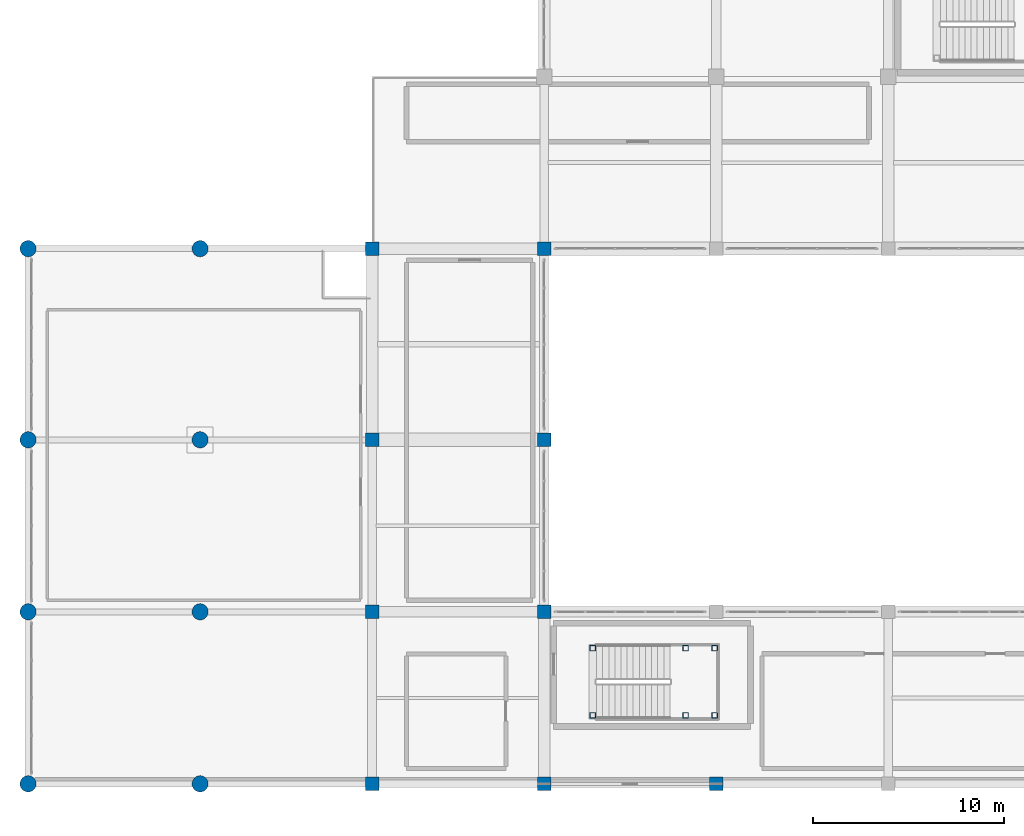
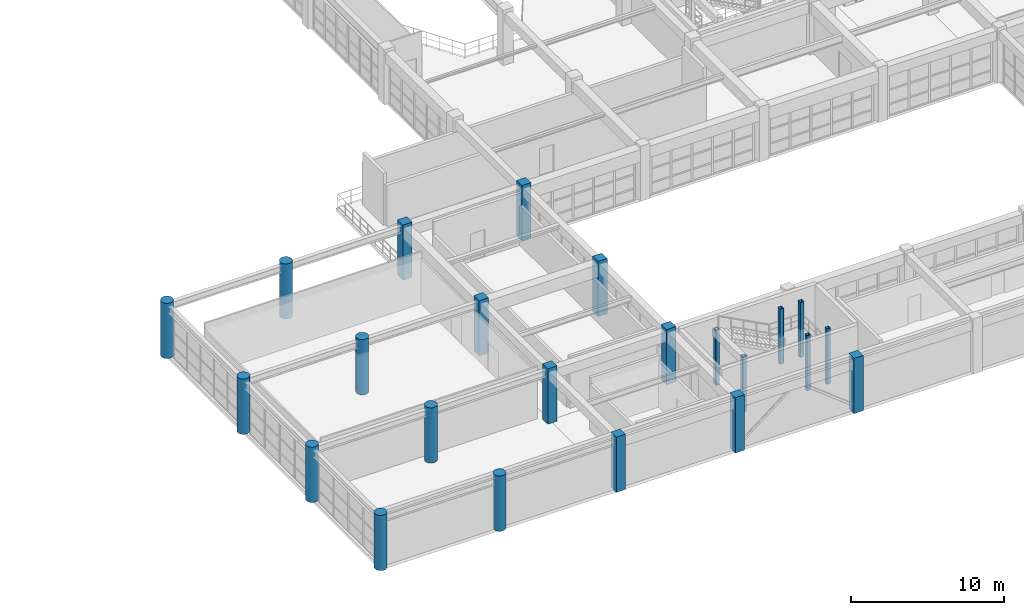
# One storey, part 1 of 133: 23 columns.
"""IFC4 building model written with IfcOpenShell, lengths in metres."""

from ifc_helpers import new_model, si_unit, direction, frame, origin, origin_2d, place, context, subcontext, project, spatial, rectangle, hollow_rectangle, circle, extrude, material, material_profile, profile_set, type_object, element, save


model = new_model("IFC4")

# Units and contexts
model_context = context("Model", 3, precision=1e-05, world=origin(), true_north=direction((0.0, 1.0)))
body_context = subcontext(model_context, "Body", "Model", "MODEL_VIEW")
ifc_project = project(units=[si_unit("LENGTHUNIT", "METRE"), si_unit("AREAUNIT", "SQUARE_METRE"), si_unit("VOLUMEUNIT", "CUBIC_METRE"), si_unit("PLANEANGLEUNIT", "RADIAN"), si_unit("MASSUNIT", "GRAM", prefix="KILO")], contexts=[model_context])

# Site, building, storey
site_placement = place(None, origin())
site = spatial("IfcSite", under=ifc_project, at=site_placement, CompositionType="ELEMENT")
building_placement = place(site_placement, origin())
building = spatial("IfcBuilding", under=site, at=building_placement, Name="Miravela Opera House", CompositionType="ELEMENT")
storey_placement = place(building_placement, frame((0.0, 0.0, 5.10009765625)))
storey = spatial("IfcBuildingStorey", under=building, at=storey_placement, Name="L01", CompositionType="ELEMENT", Elevation=5.10009765625)

# Columns
ifc_material_1 = material(Name="Hollow structural steel ASTM A500 Gr. C", Category="steel")
ifc_material_profile_1 = material_profile(ifc_material_1, hollow_rectangle(XDim=0.300048828125, YDim=0.300048828125, WallThickness=0.01611328125, InnerFilletRadius=0.01611328125, OuterFilletRadius=0.031982421875, at=origin_2d()), Name="HSS300X300X16")
ifc_profile_set_1 = profile_set([ifc_material_profile_1])
column_type_1 = type_object("IfcColumnType", Name="STR-COL-HSS300", PredefinedType="COLUMN", material=ifc_profile_set_1)
for number, where, z_axis, x_axis, name in (
    (1, (29.5400390625, 3.580078125, 0.0), (0.0, 0.0, 1.0), (1.0, 0.0, 0.0), "Stair ST-08 Landing Support Column 1 (L01)"),
    (2, (29.5400390625, 7.10009765625, 0.0), (0.0, 0.0, 1.0), (1.0, 0.0, 0.0), "Stair ST-08 Landing Support Column 2 (L01)"),
    (3, (34.39990234375, 3.580078125, 0.0), (0.0, 0.0, 1.0), (1.0, 0.0, 0.0), "Stair ST-08 Landing Support Column 3 (L01)"),
    (4, (34.39990234375, 7.10009765625, 0.0), (0.0, 0.0, 1.0), (1.0, 0.0, 0.0), "Stair ST-08 Landing Support Column 4 (L01)"),
    (5, (35.919921875, 3.580078125, 0.0), (0.0, 0.0, 1.0), (1.0, 0.0, 0.0), "Stair ST-08 Landing Support Column 5 (L01)"),
    (6, (35.919921875, 7.10009765625, 0.0), (0.0, 0.0, 1.0), (1.0, 0.0, 0.0), "Stair ST-08 Landing Support Column 6 (L01)"),
):
    element("IfcColumn", number, at=place(storey_placement, frame(where, z_axis=z_axis, x_axis=x_axis)), inside=storey, type_object=column_type_1, Name=name, PredefinedType="COLUMN", context=body_context, shape_type="SweptSolid", body=[
        extrude(hollow_rectangle(XDim=0.300048828125, YDim=0.300048828125, WallThickness=0.01611328125, InnerFilletRadius=0.01611328125, OuterFilletRadius=0.031982421875, at=origin_2d()), origin(), (0.0, 0.0, 1.0), 4.419921875),
    ])
ifc_material_2 = material(Name="Concrete C35/45", Category="concrete")
ifc_material_profile_2 = material_profile(ifc_material_2, rectangle(XDim=0.699951171875, YDim=0.699951171875, at=origin_2d()), Name="RC-COL-700X700")
ifc_profile_set_2 = profile_set([ifc_material_profile_2])
column_type_2 = type_object("IfcColumnType", Name="STR-COL-RC700", PredefinedType="COLUMN", material=ifc_profile_set_2)
for number, where, z_axis, x_axis, name in (
    (7, (18.0, 0.0, 0.0), (0.0, 0.0, 1.0), (1.0, 0.0, 0.0), "Column C-3A (L01)"),
    (8, (18.0, 9.0, 0.0), (0.0, 0.0, 1.0), (1.0, 0.0, 0.0), "Column C-3B (L01)"),
    (9, (18.0, 18.0, 0.0), (0.0, 0.0, 1.0), (1.0, 0.0, 0.0), "Column C-3C (L01)"),
    (10, (18.0, 28.0, 0.0), (0.0, 0.0, 1.0), (1.0, 0.0, 0.0), "Column C-3D (L01)"),
    (11, (27.0, 0.0, 0.0), (0.0, 0.0, 1.0), (1.0, 0.0, 0.0), "Column C-4A (L01)"),
    (12, (27.0, 9.0, 0.0), (0.0, 0.0, 1.0), (1.0, 0.0, 0.0), "Column C-4B (L01)"),
    (13, (27.0, 18.0, 0.0), (0.0, 0.0, 1.0), (1.0, 0.0, 0.0), "Column C-4C (L01)"),
    (14, (27.0, 28.0, 0.0), (0.0, 0.0, 1.0), (1.0, 0.0, 0.0), "Column C-4D (L01)"),
    (15, (36.0, 0.0, 0.0), (0.0, 0.0, 1.0), (1.0, 0.0, 0.0), "Column C-5A (L01)"),
):
    element("IfcColumn", number, at=place(storey_placement, frame(where, z_axis=z_axis, x_axis=x_axis)), inside=storey, type_object=column_type_2, Name=name, PredefinedType="COLUMN", context=body_context, shape_type="SweptSolid", body=[
        extrude(rectangle(XDim=0.699951171875, YDim=0.699951171875, at=origin_2d()), origin(), (0.0, 0.0, 1.0), 4.419921875),
    ])
ifc_material_3 = material(Name="Concrete C40/50", Category="concrete")
ifc_material_profile_3 = material_profile(ifc_material_3, circle(Radius=0.425048828125, at=origin_2d()), Name="RC-COL-D850")
ifc_profile_set_3 = profile_set([ifc_material_profile_3])
column_type_3 = type_object("IfcColumnType", Name="STR-COL-RCD850", PredefinedType="COLUMN", material=ifc_profile_set_3)
for number, where, z_axis, x_axis, name in (
    (16, (0.0, 0.0, 0.0), (0.0, 0.0, 1.0), (1.0, 0.0, 0.0), "Column C-1A (L01)"),
    (17, (0.0, 9.0, 0.0), (0.0, 0.0, 1.0), (1.0, 0.0, 0.0), "Column C-1B (L01)"),
    (18, (0.0, 18.0, 0.0), (0.0, 0.0, 1.0), (1.0, 0.0, 0.0), "Column C-1C (L01)"),
    (19, (0.0, 28.0, 0.0), (0.0, 0.0, 1.0), (1.0, 0.0, 0.0), "Column C-1D (L01)"),
    (20, (9.0, 0.0, 0.0), (0.0, 0.0, 1.0), (1.0, 0.0, 0.0), "Column C-2A (L01)"),
    (21, (9.0, 9.0, 0.0), (0.0, 0.0, 1.0), (1.0, 0.0, 0.0), "Column C-2B (L01)"),
    (22, (9.0, 18.0, 0.0), (0.0, 0.0, 1.0), (1.0, 0.0, 0.0), "Column C-2C (L01)"),
    (23, (9.0, 28.0, 0.0), (0.0, 0.0, 1.0), (1.0, 0.0, 0.0), "Column C-2D (L01)"),
):
    element("IfcColumn", number, at=place(storey_placement, frame(where, z_axis=z_axis, x_axis=x_axis)), inside=storey, type_object=column_type_3, Name=name, PredefinedType="COLUMN", context=body_context, shape_type="SweptSolid", body=[
        extrude(circle(Radius=0.425048828125, at=origin_2d()), origin(), (0.0, 0.0, 1.0), 4.419921875),
    ])

save(model, "model.ifc")
